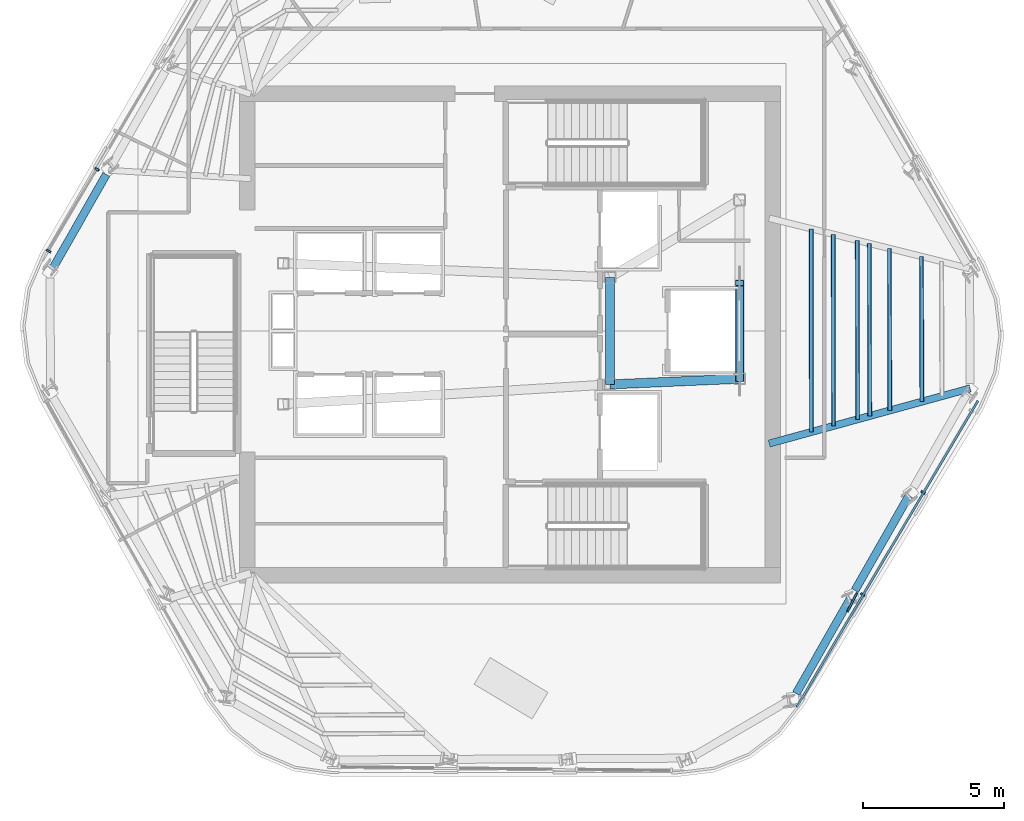
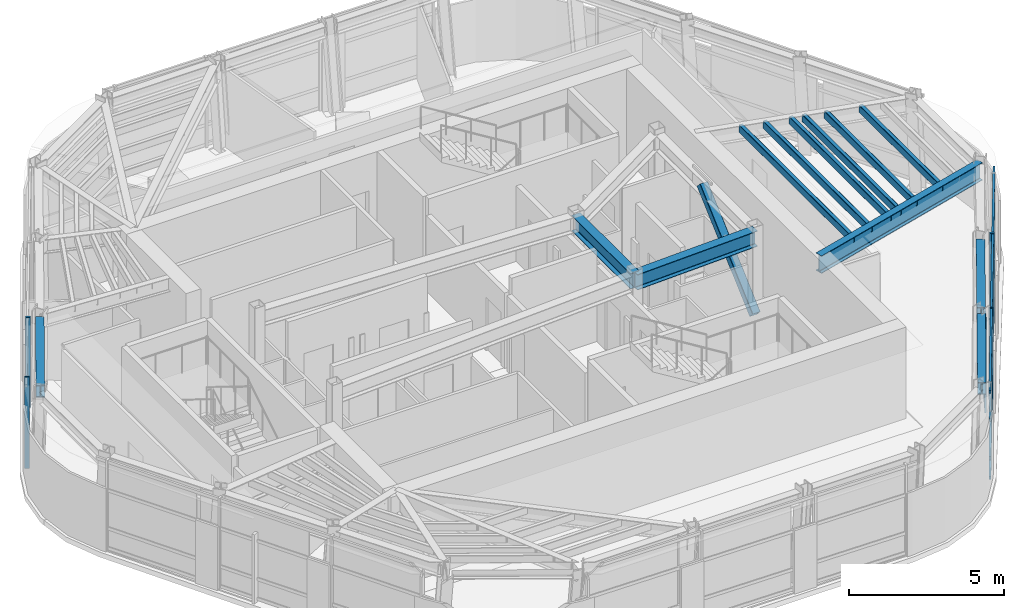
# One storey, part 3 of 13: 16 members, 6 beams, 2 elements without a shape of their own.
"""IFC4 building model written with IfcOpenShell, lengths in metres."""

from ifc_helpers import new_model, si_unit, direction, frame, origin, origin_2d, place, context, subcontext, project, spatial, rectangle, hollow_rectangle, i_section, extrude, material, layer, layer_set, material_profile, profile_set, type_object, element, aggregate, save


model = new_model("IFC4")

# Units and contexts
model_context = context("Model", 3, precision=1e-05, world=origin(), true_north=direction((0.0, 1.0)))
body_context = subcontext(model_context, "Body", "Model", "MODEL_VIEW")
ifc_project = project(units=[si_unit("LENGTHUNIT", "METRE"), si_unit("AREAUNIT", "SQUARE_METRE"), si_unit("VOLUMEUNIT", "CUBIC_METRE"), si_unit("PLANEANGLEUNIT", "RADIAN"), si_unit("MASSUNIT", "GRAM", prefix="KILO")], contexts=[model_context])

# Site, building, storey
site_placement = place(None, origin())
site = spatial("IfcSite", under=ifc_project, at=site_placement, CompositionType="ELEMENT")
building_placement = place(site_placement, origin())
building = spatial("IfcBuilding", under=site, at=building_placement, Name="Valkerne Bourse Tower", CompositionType="ELEMENT")
storey_placement = place(building_placement, frame((0.0, 0.0, 281.199951171875)))
storey = spatial("IfcBuildingStorey", under=building, at=storey_placement, Name="L71", CompositionType="ELEMENT", Elevation=281.199951171875)

# Beams
ifc_material_1 = material(Name="Steel ASTM A992", Category="steel")
ifc_material_profile_1 = material_profile(ifc_material_1, i_section(OverallWidth=0.284423828125, OverallDepth=0.47509765625, WebThickness=0.014892578125, FlangeThickness=0.02392578125, FilletRadius=0.017822265625, at=origin_2d()), Name="W18X106")
ifc_profile_set_1 = profile_set([ifc_material_profile_1], Name="Steel ASTM A992")
beam_type_1 = type_object("IfcBeamType", Name="BM-W18X106", PredefinedType="BEAM", material=ifc_profile_set_1)
for number, where, z_axis, x_axis, name in (
    (1, (32.47021484375, 32.55322265625, 3.362548828125), (-0.495473337127, -0.868623147399, 0.0), (0.868623147399, -0.495473337127, 0.0), "L71 Hexagonal Spandrel Ring Beam 06"),
    (2, (56.9560546875, 14.12939453125, 3.362548828125), (0.495473337127, 0.868623147399, 0.0), (-0.868623147399, 0.495473337127, 0.0), "L71 Hexagonal Spandrel Ring Beam 16"),
):
    element("IfcBeam", number, at=place(storey_placement, frame(where, z_axis=z_axis, x_axis=x_axis)), inside=storey, type_object=beam_type_1, Name=name, PredefinedType="BEAM", context=body_context, shape_type="SweptSolid", body=[
        extrude(i_section(OverallWidth=0.284423828125, OverallDepth=0.47509765625, WebThickness=0.014892578125, FlangeThickness=0.02392578125, FilletRadius=0.017822265625, at=origin_2d()), origin(), (0.0, 0.0, 1.0), 3.8720703125),
    ])
beam_1_placement = place(storey_placement, frame((59.04296875, 17.7880859375, 3.362548828125), z_axis=(0.495425760745, 0.868650283826, 0.0), x_axis=(-0.868650283826, 0.495425760745, 0.0)))
element("IfcBeam", 3, at=beam_1_placement, inside=storey, type_object=beam_type_1, Name="L71 Hexagonal Spandrel Ring Beam 17", PredefinedType="BEAM", context=body_context, shape_type="SweptSolid", body=[
    extrude(i_section(OverallWidth=0.284423828125, OverallDepth=0.47509765625, WebThickness=0.014892578125, FlangeThickness=0.02392578125, FilletRadius=0.017822265625, at=origin_2d()), origin(), (0.0, 0.0, 1.0), 3.871826171875),
])
ifc_material_profile_2 = material_profile(ifc_material_1, i_section(OverallWidth=0.3251953125, OverallDepth=0.612060546875, WebThickness=0.0126953125, FlangeThickness=0.01904296875, FilletRadius=0.020263671875, at=origin_2d()), Name="W24X104")
ifc_profile_set_2 = profile_set([ifc_material_profile_2], Name="Steel ASTM A992")
beam_type_2 = type_object("IfcBeamType", Name="BM-W24X104", PredefinedType="BEAM", material=ifc_profile_set_2)
beam_2_placement = place(storey_placement, frame((50.35009765625, 25.10009765625, 3.2939453125), z_axis=(0.0, 1.0, 0.0), x_axis=(-1.0, 0.0, 0.0)))
element("IfcBeam", 4, at=beam_2_placement, inside=storey, type_object=beam_type_2, Name="L71 Core Frame Girder CG-CE", PredefinedType="BEAM", context=body_context, shape_type="SweptSolid", body=[
    extrude(i_section(OverallWidth=0.3251953125, OverallDepth=0.612060546875, WebThickness=0.0126953125, FlangeThickness=0.01904296875, FilletRadius=0.020263671875, at=origin_2d()), origin(), (0.0, 0.0, 1.0), 3.7998046875),
])
beam_3_placement = place(storey_placement, frame((50.35009765625, 25.10009765625, 3.2939453125), z_axis=(0.999056558506, 0.043428019819, 0.0), x_axis=(-0.043428019819, 0.999056558506, 0.0)))
element("IfcBeam", 5, at=beam_3_placement, inside=storey, type_object=beam_type_2, Name="L71 Core Frame Girder CG-SE", PredefinedType="BEAM", context=body_context, shape_type="SweptSolid", body=[
    extrude(i_section(OverallWidth=0.3251953125, OverallDepth=0.612060546875, WebThickness=0.0126953125, FlangeThickness=0.01904296875, FilletRadius=0.020263671875, at=origin_2d()), origin(), (0.0, 0.0, 1.0), 4.604248046875),
])
ifc_material_profile_3 = material_profile(ifc_material_1, i_section(OverallWidth=0.255859375, OverallDepth=0.693359375, WebThickness=0.014404296875, FlangeThickness=0.023681640625, FilletRadius=0.02294921875, at=origin_2d()), Name="W27X114")
ifc_profile_set_3 = profile_set([ifc_material_profile_3], Name="Steel ASTM A992")
beam_type_3 = type_object("IfcBeamType", Name="BM-W27X114", PredefinedType="BEAM", material=ifc_profile_set_3)
beam_4_placement = place(storey_placement, frame((63.13232421875, 24.957763671875, 3.25341796875), z_axis=(-0.964330608801, -0.264700730882, 0.0), x_axis=(0.264700730882, -0.964330608801, 0.0)))
element("IfcBeam", 6, at=beam_4_placement, inside=storey, type_object=beam_type_3, Name="L71 Radial Composite Floor Beam 19", PredefinedType="BEAM", context=body_context, shape_type="SweptSolid", body=[
    extrude(i_section(OverallWidth=0.255859375, OverallDepth=0.693359375, WebThickness=0.014404296875, FlangeThickness=0.023681640625, FilletRadius=0.02294921875, at=origin_2d()), origin(), (0.0, 0.0, 1.0), 7.396240234375),
])

# Curtain wall, members
ifc_material_2 = material(Name="Aluminium AA 6063-T6", Category="aluminium")
ifc_layer = layer(ifc_material_2, 0.2451171875)
ifc_layer_set = layer_set([ifc_layer], Name="Aluminium AA 6063-T6")
curtain_wall_type = type_object("IfcCurtainWallType", Name="CW-05", PredefinedType="NOTDEFINED", material=ifc_layer_set)
curtain_wall_1_placement = place(storey_placement, origin())
curtain_wall_1 = element("IfcCurtainWall", 7, at=curtain_wall_1_placement, inside=storey, type_object=curtain_wall_type, Name="L71 Hexagonal Stick Curtain Wall Face 2", PredefinedType="NOTDEFINED")
ifc_material_profile_4 = material_profile(ifc_material_2, rectangle(XDim=0.074951171875, YDim=0.159912109375, at=origin_2d()), Name="CWM-75X160")
ifc_profile_set_4 = profile_set([ifc_material_profile_4], Name="Aluminium AA 6063-T6")
member_type_1 = type_object("IfcMemberType", Name="CW-MUL-160X75", PredefinedType="MULLION", material=ifc_profile_set_4)
member_1_placement = place(storey_placement, frame((32.139404296875, 32.735595703125, 0.0), z_axis=(0.0, 0.0, 1.0), x_axis=(-0.509038826061, -0.860743558537, 0.0)))
member_1 = element("IfcMember", 8, at=member_1_placement, type_object=member_type_1, Name="CW-L71-F2 Jamb Mullion 02A", PredefinedType="MULLION", context=body_context, shape_type="SweptSolid", body=[
    extrude(rectangle(XDim=0.074951171875, YDim=0.159912109375, at=origin_2d()), origin(), (0.0, 0.0, 1.0), 3.60009765625),
])
member_2_placement = place(storey_placement, frame((30.4228515625, 29.833251953125, 0.0), z_axis=(0.0, 0.0, 1.0), x_axis=(-0.509038826061, -0.860743558537, 0.0)))
member_2 = element("IfcMember", 9, at=member_2_placement, type_object=member_type_1, Name="CW-L71-F2 Jamb Mullion 02B", PredefinedType="MULLION", context=body_context, shape_type="SweptSolid", body=[
    extrude(rectangle(XDim=0.074951171875, YDim=0.159912109375, at=origin_2d()), origin(), (0.0, 0.0, 1.0), 3.60009765625),
])
aggregate(curtain_wall_1, [member_1, member_2])

curtain_wall_2_placement = place(storey_placement, origin())
curtain_wall_2 = element("IfcCurtainWall", 10, at=curtain_wall_2_placement, inside=storey, type_object=curtain_wall_type, Name="L71 Hexagonal Stick Curtain Wall Face 5", PredefinedType="NOTDEFINED")
member_3_placement = place(storey_placement, frame((59.316650390625, 17.638916015625, 0.0), z_axis=(0.0, 0.0, 1.0), x_axis=(0.509031638635, 0.860747809099, 0.0)))
member_3 = element("IfcMember", 11, at=member_3_placement, type_object=member_type_1, Name="CW-L71-F5 Jamb Mullion 01A", PredefinedType="MULLION", context=body_context, shape_type="SweptSolid", body=[
    extrude(rectangle(XDim=0.074951171875, YDim=0.159912109375, at=origin_2d()), origin(), (0.0, 0.0, 1.0), 3.60009765625),
])
member_4_placement = place(storey_placement, frame((61.460693359375, 21.264404296875, 0.0), z_axis=(0.0, 0.0, 1.0), x_axis=(0.509038826061, 0.860743558537, 0.0)))
member_4 = element("IfcMember", 12, at=member_4_placement, type_object=member_type_1, Name="CW-L71-F5 Jamb Mullion 02A", PredefinedType="MULLION", context=body_context, shape_type="SweptSolid", body=[
    extrude(rectangle(XDim=0.074951171875, YDim=0.159912109375, at=origin_2d()), origin(), (0.0, 0.0, 1.0), 3.60009765625),
])
ifc_material_profile_5 = material_profile(ifc_material_2, rectangle(XDim=0.074951171875, YDim=0.1201171875, at=origin_2d()), Name="CWT-75X120")
ifc_profile_set_5 = profile_set([ifc_material_profile_5], Name="Aluminium AA 6063-T6")
member_type_2 = type_object("IfcMemberType", Name="CW-TRN-120X75", PredefinedType="USERDEFINED", material=ifc_profile_set_5)
member_5_placement = place(storey_placement, frame((56.97607421875, 13.6416015625, 0.1201171875), z_axis=(0.50903001346, 0.860748770198, 0.0), x_axis=(-0.860748770198, 0.50903001346, 0.0)))
member_5 = element("IfcMember", 13, at=member_5_placement, type_object=member_type_2, Name="CW-L71-F5 Continuous Face Transom 1", ObjectType="TRANSOM", PredefinedType="USERDEFINED", context=body_context, shape_type="SweptSolid", body=[
    extrude(rectangle(XDim=0.074951171875, YDim=0.1201171875, at=origin_2d()), origin(), (0.0, 0.0, 1.0), 12.635986328125),
])
member_6_placement = place(storey_placement, frame((56.97607421875, 13.6416015625, 0.900146484375), z_axis=(0.50903001346, 0.860748770198, 0.0), x_axis=(-0.860748770198, 0.50903001346, 0.0)))
member_6 = element("IfcMember", 14, at=member_6_placement, type_object=member_type_2, Name="CW-L71-F5 Continuous Face Transom 2", ObjectType="TRANSOM", PredefinedType="USERDEFINED", context=body_context, shape_type="SweptSolid", body=[
    extrude(rectangle(XDim=0.074951171875, YDim=0.1201171875, at=origin_2d()), origin(), (0.0, 0.0, 1.0), 12.635986328125),
])
member_7_placement = place(storey_placement, frame((56.97607421875, 13.6416015625, 2.400146484375), z_axis=(0.50903001346, 0.860748770198, 0.0), x_axis=(-0.860748770198, 0.50903001346, 0.0)))
member_7 = element("IfcMember", 15, at=member_7_placement, type_object=member_type_2, Name="CW-L71-F5 Continuous Face Transom 3", ObjectType="TRANSOM", PredefinedType="USERDEFINED", context=body_context, shape_type="SweptSolid", body=[
    extrude(rectangle(XDim=0.074951171875, YDim=0.1201171875, at=origin_2d()), origin(), (0.0, 0.0, 1.0), 12.635986328125),
])
member_8_placement = place(storey_placement, frame((56.97607421875, 13.6416015625, 3.52001953125), z_axis=(0.50903001346, 0.860748770198, 0.0), x_axis=(-0.860748770198, 0.50903001346, 0.0)))
member_8 = element("IfcMember", 16, at=member_8_placement, type_object=member_type_2, Name="CW-L71-F5 Continuous Face Transom 4", ObjectType="TRANSOM", PredefinedType="USERDEFINED", context=body_context, shape_type="SweptSolid", body=[
    extrude(rectangle(XDim=0.074951171875, YDim=0.1201171875, at=origin_2d()), origin(), (0.0, 0.0, 1.0), 12.635986328125),
])
aggregate(curtain_wall_2, [member_5, member_6, member_7, member_8, member_3, member_4])

# Members
ifc_material_3 = material(Name="Bronze Anodised Aluminium AA 6063-T6", Category="aluminium")
ifc_material_profile_6 = material_profile(ifc_material_3, rectangle(XDim=0.06494140625, YDim=0.75, at=origin_2d()), Name="FIN-65X750")
ifc_profile_set_6 = profile_set([ifc_material_profile_6], Name="Bronze Anodised Aluminium AA 6063-T6")
member_type_3 = type_object("IfcMemberType", Name="FIN-SOLAR-650", PredefinedType="USERDEFINED", material=ifc_profile_set_6)
member_9_placement = place(storey_placement, frame((58.947998046875, 17.369140625, 0.004150390625), z_axis=(0.0, 0.0, 1.0), x_axis=(0.889504964703, -0.456925505711, 0.0)))
element("IfcMember", 17, at=member_9_placement, inside=storey, type_object=member_type_3, Name="L71 Bronze Anodised Solar Fin F5-01", ObjectType="SOLAR_FIN", PredefinedType="USERDEFINED", context=body_context, shape_type="SweptSolid", body=[
    extrude(rectangle(XDim=0.06494140625, YDim=0.75, at=origin_2d()), origin(), (0.0, 0.0, 1.0), 3.591796875),
])
ifc_material_4 = material(Name="Steel ASTM A500 Grade C", Category="steel")
ifc_material_profile_7 = material_profile(ifc_material_4, hollow_rectangle(XDim=0.14990234375, YDim=0.300048828125, WallThickness=0.012451171875, OuterFilletRadius=0.02490234375, at=origin_2d()), Name="HSS300X150X12.5")
ifc_profile_set_7 = profile_set([ifc_material_profile_7], Name="Steel ASTM A500 Grade C")
member_type_4 = type_object("IfcMemberType", Name="MBR-HSS300X150X12.5", PredefinedType="PURLIN", material=ifc_profile_set_7)
member_10_placement = place(storey_placement, frame((58.282470703125, 23.62646484375, 3.43994140625), z_axis=(-0.00107681201, 0.999999420238, 0.0), x_axis=(-0.999999420238, -0.00107681201, 0.0)))
element("IfcMember", 18, at=member_10_placement, inside=storey, type_object=member_type_4, Name="L71 Secondary Composite Floor Purlin I-19", PredefinedType="PURLIN", context=body_context, shape_type="SweptSolid", body=[
    extrude(hollow_rectangle(XDim=0.14990234375, YDim=0.300048828125, WallThickness=0.012451171875, OuterFilletRadius=0.02490234375, at=origin_2d()), origin(), (0.0, 0.0, 1.0), 6.8017578125),
])
member_11_placement = place(storey_placement, frame((59.13818359375, 23.861328125, 3.43994140625), z_axis=(-0.0015372772, 0.999998818389, 0.0), x_axis=(-0.999998818389, -0.0015372772, 0.0)))
element("IfcMember", 19, at=member_11_placement, inside=storey, type_object=member_type_4, Name="L71 Secondary Composite Floor Purlin K-19", PredefinedType="PURLIN", context=body_context, shape_type="SweptSolid", body=[
    extrude(hollow_rectangle(XDim=0.14990234375, YDim=0.300048828125, WallThickness=0.012451171875, OuterFilletRadius=0.02490234375, at=origin_2d()), origin(), (0.0, 0.0, 1.0), 6.3525390625),
])
member_12_placement = place(storey_placement, frame((59.566162109375, 23.97900390625, 3.43994140625), z_axis=(-0.001792897234, 0.999998392758, 0.0), x_axis=(-0.999998392758, -0.001792897234, 0.0)))
element("IfcMember", 20, at=member_12_placement, inside=storey, type_object=member_type_4, Name="L71 Secondary Composite Floor Purlin M-19", PredefinedType="PURLIN", context=body_context, shape_type="SweptSolid", body=[
    extrude(hollow_rectangle(XDim=0.14990234375, YDim=0.300048828125, WallThickness=0.012451171875, OuterFilletRadius=0.02490234375, at=origin_2d()), origin(), (0.0, 0.0, 1.0), 6.127685546875),
])
member_13_placement = place(storey_placement, frame((61.420654296875, 24.48779296875, 3.43994140625), z_axis=(-0.003268265985, 0.999994659204, 0.0), x_axis=(-0.999994659204, -0.003268265985, 0.0)))
element("IfcMember", 21, at=member_13_placement, inside=storey, type_object=member_type_4, Name="L71 Secondary Composite Floor Purlin O-19", PredefinedType="PURLIN", context=body_context, shape_type="SweptSolid", body=[
    extrude(hollow_rectangle(XDim=0.14990234375, YDim=0.300048828125, WallThickness=0.012451171875, OuterFilletRadius=0.02490234375, at=origin_2d()), origin(), (0.0, 0.0, 1.0), 5.154296875),
])
member_14_placement = place(storey_placement, frame((60.279296875, 24.174560546875, 3.43994140625), z_axis=(-0.0022914308, 0.999997374669, 0.0), x_axis=(-0.999997374669, -0.0022914308, 0.0)))
element("IfcMember", 22, at=member_14_placement, inside=storey, type_object=member_type_4, Name="L71 Secondary Composite Floor Purlin Z-19", PredefinedType="PURLIN", context=body_context, shape_type="SweptSolid", body=[
    extrude(hollow_rectangle(XDim=0.14990234375, YDim=0.300048828125, WallThickness=0.012451171875, OuterFilletRadius=0.02490234375, at=origin_2d()), origin(), (0.0, 0.0, 1.0), 5.75341796875),
])
member_15_placement = place(storey_placement, frame((57.497802734375, 23.4111328125, 3.43994140625), z_axis=(-0.000643043154, 0.999999793248, 0.0), x_axis=(-0.999999793248, -0.000643043154, 0.0)))
element("IfcMember", 23, at=member_15_placement, inside=storey, type_object=member_type_4, Name="L71 Secondary Composite Floor Purlin S-19", PredefinedType="PURLIN", context=body_context, shape_type="SweptSolid", body=[
    extrude(hollow_rectangle(XDim=0.14990234375, YDim=0.300048828125, WallThickness=0.012451171875, OuterFilletRadius=0.02490234375, at=origin_2d()), origin(), (0.0, 0.0, 1.0), 7.213623046875),
])
ifc_material_profile_8 = material_profile(ifc_material_4, hollow_rectangle(XDim=0.300048828125, YDim=0.300048828125, WallThickness=0.012451171875, OuterFilletRadius=0.02490234375, at=origin_2d()), Name="HSS300X300X12.5")
ifc_profile_set_8 = profile_set([ifc_material_profile_8], Name="Steel ASTM A500 Grade C")
member_type_5 = type_object("IfcMemberType", Name="MBR-HSS300X300X12.5", PredefinedType="STRUT", material=ifc_profile_set_8)
member_16_placement = place(storey_placement, frame((54.949951171875, 25.300048828125, 0.219970703125), z_axis=(0.0, 0.741766660352, 0.670658051163), x_axis=(-1.0, 0.0, 0.0)))
element("IfcMember", 24, at=member_16_placement, inside=storey, type_object=member_type_5, Name="L71 Core Service Pier Lateral Brace", PredefinedType="STRUT", context=body_context, shape_type="SweptSolid", body=[
    extrude(hollow_rectangle(XDim=0.300048828125, YDim=0.300048828125, WallThickness=0.012451171875, OuterFilletRadius=0.02490234375, at=origin_2d()), origin(), (0.0, 0.0, 1.0), 4.58349609375),
])

save(model, "model.ifc")
